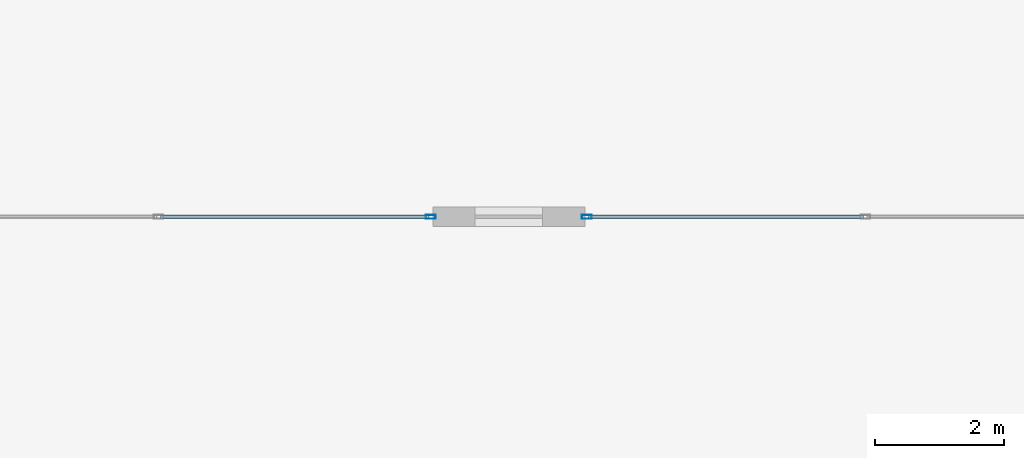
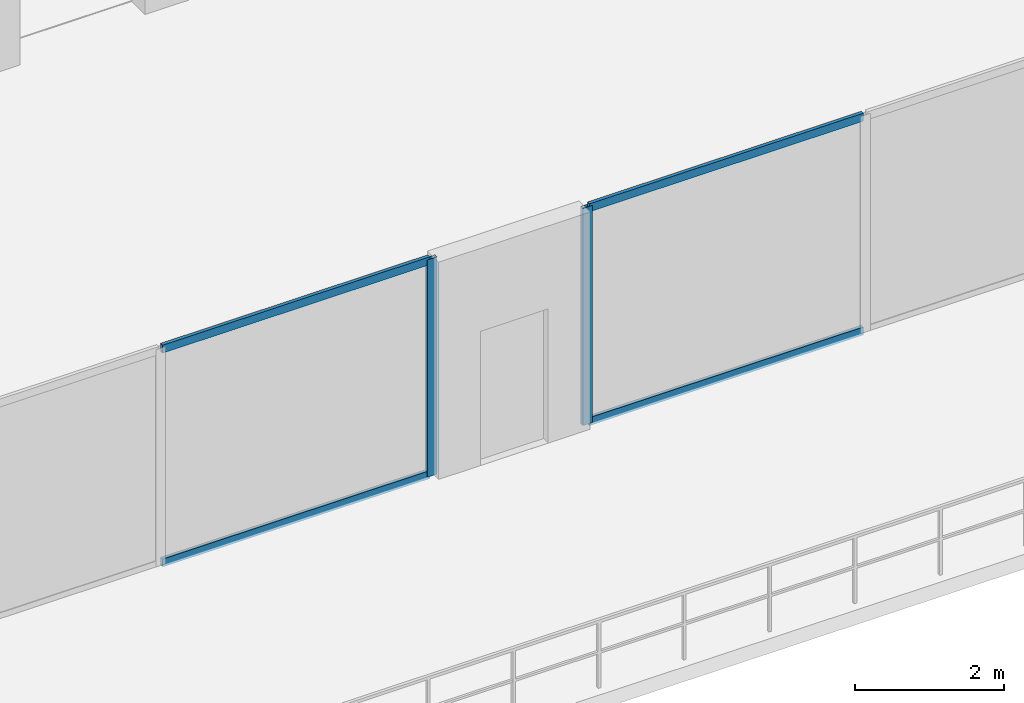
# One storey, part 3 of 16: 6 members, 2 elements without a shape of their own.
"""IFC4 building model written with IfcOpenShell, lengths in metres."""

import ifcopenshell
import ifcopenshell.guid

model = None  # the IFC model being written
_history = None  # IfcOwnerHistory: only IFC2X3 demands one
_inside = {}  # id of a spatial element -> (the spatial element, [elements in it])
_under = {}  # id of a project, library or spatial element -> (it, [spatial elements below it])
_declared = {}  # id of a project -> (the project, [libraries it declares])
_typed = {}  # id of a type object -> (the type object, [elements of that type])
_made_of = {}  # id of a material, layer set ... -> (it, [elements and type objects made of it])


def new_model(schema):
    """Start an empty IFC model of exactly this schema.

    Asked for "IFC4X3", IfcOpenShell would pick the latest addendum, in which some entities
    have other attributes; the version numbers below select the first issue.
    IFC2X3 requires an IfcOwnerHistory on every rooted entity: one is made here for all.
    """
    global model, _history
    if schema == "IFC4X3":
        model = ifcopenshell.file(schema_version=(4, 3, 0, 0))
    else:
        model = ifcopenshell.file(schema=schema)
    _inside.clear()
    _under.clear()
    _declared.clear()
    _typed.clear()
    _made_of.clear()
    _history = None
    if model.schema == "IFC2X3":
        org = make("IfcOrganization", Name="unknown")
        user = make(
            "IfcPersonAndOrganization",
            ThePerson=make("IfcPerson", FamilyName="unknown"),
            TheOrganization=org,
        )
        app = make(
            "IfcApplication",
            ApplicationDeveloper=org,
            Version="unknown",
            ApplicationFullName="unknown",
            ApplicationIdentifier="unknown",
        )
        _history = make(
            "IfcOwnerHistory",
            OwningUser=user,
            OwningApplication=app,
            ChangeAction="ADDED",
            CreationDate=0,
        )
    return model


def make(cls, **values):
    """One entity of the class cls with the attributes given. An attribute that is None is left unset."""
    return model.create_entity(
        cls, **{name: value for name, value in values.items() if value is not None}
    )


def rooted(cls, **values):
    """An entity with a GlobalId (a new one), such as an element, a storey or a relation."""
    return make(cls, GlobalId=ifcopenshell.guid.new(), OwnerHistory=_history, **values)


def si_unit(unit_type, name, prefix=None):
    """IfcSIUnit, for example si_unit("LENGTHUNIT", "METRE", prefix="MILLI")."""
    return make("IfcSIUnit", UnitType=unit_type, Prefix=prefix, Name=name)


def assignment(units):
    """IfcUnitAssignment: the units of a project."""
    return None if units is None else make("IfcUnitAssignment", Units=units)


def point(xyz):
    """IfcCartesianPoint."""
    return None if xyz is None else make("IfcCartesianPoint", Coordinates=xyz)


def direction(xyz):
    """IfcDirection."""
    return None if xyz is None else make("IfcDirection", DirectionRatios=xyz)


def frame(location, z_axis=None, x_axis=None):
    """IfcAxis2Placement3D, a coordinate frame: its origin and axes. An axis left out is left unset."""
    return make(
        "IfcAxis2Placement3D",
        Location=point(location),
        Axis=direction(z_axis),
        RefDirection=direction(x_axis),
    )


def frame_2d(location, x_axis=None):
    """IfcAxis2Placement2D, a coordinate frame in the plane: its origin and x axis."""
    return make(
        "IfcAxis2Placement2D", Location=point(location), RefDirection=direction(x_axis)
    )


def origin():
    """The frame at (0, 0, 0) with its axes left unset."""
    return frame((0.0, 0.0, 0.0))


def origin_2d():
    """The frame at (0, 0) in the plane with its x axis left unset."""
    return frame_2d((0.0, 0.0))


def place(relative_to, where):
    """IfcLocalPlacement: puts the frame where relative to a parent placement (None: the world)."""
    return make(
        "IfcLocalPlacement", PlacementRelTo=relative_to, RelativePlacement=where
    )


def context(
    kind, dimensions, precision=None, world=None, true_north=None, identifier=None
):
    """IfcGeometricRepresentationContext, for example the 3D "Model" context."""
    return make(
        "IfcGeometricRepresentationContext",
        ContextIdentifier=identifier,
        ContextType=kind,
        CoordinateSpaceDimension=dimensions,
        Precision=precision,
        WorldCoordinateSystem=world,
        TrueNorth=true_north,
    )


def subcontext(parent, identifier, kind, view, scale=None):
    """IfcGeometricRepresentationSubContext, for example "Body" below "Model"."""
    return make(
        "IfcGeometricRepresentationSubContext",
        ContextIdentifier=identifier,
        ContextType=kind,
        ParentContext=parent,
        TargetScale=scale,
        TargetView=view,
    )


def project(units=None, contexts=None):
    """IfcProject with its units and contexts."""
    return rooted(
        "IfcProject",
        Name="project",
        RepresentationContexts=contexts,
        UnitsInContext=assignment(units),
    )


def spatial(cls, under=None, at=None, **own):
    """A site, building, storey or space (cls), placed at a placement, below another one or the project."""
    s = rooted(cls, ObjectPlacement=at, **own)
    if under is not None:
        _under.setdefault(under.id(), (under, []))[1].append(s)
    return s


def profile(cls, at=None, kind="AREA", **sizes):
    """A parametric profile (cls). Its sizes go by their IFC names, for example OverallWidth=200.0."""
    return make(cls, ProfileType=kind, Position=at, **sizes)


def hollow_rectangle(**sizes):
    """IfcRectangleHollowProfileDef."""
    return profile("IfcRectangleHollowProfileDef", **sizes)


def extrude(swept, where, along, depth):
    """IfcExtrudedAreaSolid: the profile swept, set in the frame where, extruded along a direction by depth."""
    return make(
        "IfcExtrudedAreaSolid",
        SweptArea=swept,
        Position=where,
        ExtrudedDirection=direction(along),
        Depth=depth,
    )


def shape(context_of_items, identifier, shape_type, items):
    """IfcShapeRepresentation: the items that make up one representation, for example the "Body"."""
    return make(
        "IfcShapeRepresentation",
        ContextOfItems=context_of_items,
        RepresentationIdentifier=identifier,
        RepresentationType=shape_type,
        Items=items,
    )


def material(Name=None, Category=None):
    """IfcMaterial."""
    return make("IfcMaterial", Name=Name, Category=Category)


def layer(
    of_material, thickness, ventilated=None, Name=None, Category=None, Priority=None
):
    """IfcMaterialLayer: one layer of a wall or slab, of a material (None: an air gap)."""
    return make(
        "IfcMaterialLayer",
        Material=of_material,
        LayerThickness=thickness,
        IsVentilated=ventilated,
        Name=Name,
        Category=Category,
        Priority=Priority,
    )


def layer_set(layers, Name=None):
    """IfcMaterialLayerSet."""
    return make("IfcMaterialLayerSet", MaterialLayers=layers, LayerSetName=Name)


def material_profile(
    of_material, cross_section, Name=None, Category=None, Priority=None
):
    """IfcMaterialProfile: a cross section and its material."""
    return make(
        "IfcMaterialProfile",
        Name=Name,
        Material=of_material,
        Profile=cross_section,
        Priority=Priority,
        Category=Category,
    )


def profile_set(profiles, Name=None, composite=None):
    """IfcMaterialProfileSet."""
    return make(
        "IfcMaterialProfileSet",
        Name=Name,
        MaterialProfiles=profiles,
        CompositeProfile=composite,
    )


def made_of(thing, what):
    """Note that an element or type object is made of a material, layer set ...; save() writes the relation."""
    if what is not None:
        _made_of.setdefault(what.id(), (what, []))[1].append(thing)
    return thing


def type_object(cls, material=None, **own):
    """A type object (cls), such as IfcWallType, which elements share."""
    return made_of(rooted(cls, **own), material)


def element(
    cls,
    number,
    at=None,
    inside=None,
    cuts=None,
    type_object=None,
    material=None,
    context=None,
    identifier="Body",
    shape_type=None,
    held_by="IfcProductDefinitionShape",
    body=None,
    shapes=None,
    **own,
):
    """One element of the class cls, such as IfcWall. Its Tag is "e" and its number.

    at: its placement. inside: the storey or other place that contains it. cuts: it is an
    opening in that element (IfcRelVoidsElement). A single representation is given by context,
    identifier, shape_type and body (its items); several are given by shapes. held_by: the class
    of the entity that holds the representations. save() writes the other relations.
    """
    e = rooted(cls, Tag="e%d" % number, ObjectPlacement=at, **own)
    if body is not None:
        shapes = [shape(context, identifier, shape_type, body)]
    if shapes is not None:
        e.Representation = make(held_by, Representations=shapes)
    if inside is not None:
        _inside.setdefault(inside.id(), (inside, []))[1].append(e)
    if cuts is not None:
        rooted(
            "IfcRelVoidsElement", RelatingBuildingElement=cuts, RelatedOpeningElement=e
        )
    if type_object is not None:
        _typed.setdefault(type_object.id(), (type_object, []))[1].append(e)
    return made_of(e, material)


def aggregate(whole, parts):
    """IfcRelAggregates: a whole, such as a stair, and the parts it consists of."""
    return rooted("IfcRelAggregates", RelatingObject=whole, RelatedObjects=parts)


def save(model, path):
    """Write the relations noted so far, then the file.

    IfcRelAggregates (storeys below a building ...), IfcRelContainedInSpatialStructure (elements
    in a storey), IfcRelDefinesByType, IfcRelAssociatesMaterial and IfcRelDeclares: one each for
    every whole, place, type object, material and project.
    """
    for whole, parts in _under.values():
        aggregate(whole, parts)
    for where, things in _inside.values():
        rooted(
            "IfcRelContainedInSpatialStructure",
            RelatedElements=things,
            RelatingStructure=where,
        )
    for kind, things in _typed.values():
        rooted("IfcRelDefinesByType", RelatedObjects=things, RelatingType=kind)
    for what, things in _made_of.values():
        rooted("IfcRelAssociatesMaterial", RelatedObjects=things, RelatingMaterial=what)
    for by, libraries in _declared.values():
        rooted("IfcRelDeclares", RelatingContext=by, RelatedDefinitions=libraries)
    model.write(path)


model = new_model("IFC4")

# Units and contexts
model_context = context("Model", 3, precision=1e-05, world=origin(), true_north=direction((0.0, 1.0)))
body_context = subcontext(model_context, "Body", "Model", "MODEL_VIEW")
ifc_project = project(units=[si_unit("LENGTHUNIT", "METRE"), si_unit("AREAUNIT", "SQUARE_METRE"), si_unit("VOLUMEUNIT", "CUBIC_METRE"), si_unit("PLANEANGLEUNIT", "RADIAN"), si_unit("MASSUNIT", "GRAM", prefix="KILO")], contexts=[model_context])

# Site, building, storey
site_placement = place(None, origin())
site = spatial("IfcSite", under=ifc_project, at=site_placement, CompositionType="ELEMENT")
building_placement = place(site_placement, origin())
building = spatial("IfcBuilding", under=site, at=building_placement, Name="Zuhayl Quay Hotel", CompositionType="ELEMENT")
storey_placement = place(building_placement, frame((0.0, 0.0, 308.64990234375)))
storey = spatial("IfcBuildingStorey", under=building, at=storey_placement, Name="Crown 4", CompositionType="ELEMENT", Elevation=308.64990234375)

# Curtain wall, member
ifc_material_1 = material(Name="Anodised Aluminium 6063-T6", Category="aluminium")
ifc_layer = layer(ifc_material_1, 0.159912109375, Name="Anodised Aluminium 6063-T6", Category="aluminium")
ifc_layer_set = layer_set([ifc_layer], Name="Anodised Aluminium 6063-T6")
curtain_wall_type = type_object("IfcCurtainWallType", Name="CW_SYS_CRN", PredefinedType="USERDEFINED", material=ifc_layer_set)
curtain_wall_1_placement = place(storey_placement, origin())
curtain_wall_1 = element("IfcCurtainWall", 1, at=curtain_wall_1_placement, inside=storey, type_object=curtain_wall_type, Name="Crown 4 Curtain Wall ENV_CR4_E7_CW1", ObjectType="UNITISED CURTAIN WALL", PredefinedType="USERDEFINED")
ifc_material_2 = material(Name="Black-anodised aluminium 6063-T6", Category="aluminium")
ifc_material_profile_1 = material_profile(ifc_material_2, hollow_rectangle(XDim=0.06005859375, YDim=0.14990234375, WallThickness=0.00341796875, at=origin_2d()), Name="ALU150X60")
ifc_profile_set_1 = profile_set([ifc_material_profile_1], Name="Black-anodised aluminium 6063-T6")
member_type_1 = type_object("IfcMemberType", Name="MB_CW_MUL_150", PredefinedType="MULLION", material=ifc_profile_set_1)
member_1_placement = place(storey_placement, frame((-1.9951171875, 13.800048828125, 0.0), z_axis=(0.0, 0.0, 1.0), x_axis=(0.0, -1.0, 0.0)))
member_1 = element("IfcMember", 2, at=member_1_placement, type_object=member_type_1, Name="CW-CRN mullion 3", PredefinedType="MULLION", context=body_context, shape_type="SweptSolid", body=[
    extrude(hollow_rectangle(XDim=0.06005859375, YDim=0.14990234375, WallThickness=0.00341796875, at=origin_2d()), origin(), (0.0, 0.0, 1.0), 3.56005859375),
])

curtain_wall_2_placement = place(storey_placement, origin())
curtain_wall_2 = element("IfcCurtainWall", 3, at=curtain_wall_2_placement, inside=storey, type_object=curtain_wall_type, Name="Crown 4 Curtain Wall ENV_CR4_E7_CW2", ObjectType="UNITISED CURTAIN WALL", PredefinedType="USERDEFINED")
member_2_placement = place(storey_placement, frame((-4.405029296875, 13.800048828125, 0.0), z_axis=(0.0, 0.0, 1.0), x_axis=(0.0, -1.0, 0.0)))
member_2 = element("IfcMember", 4, at=member_2_placement, type_object=member_type_1, Name="CW-CRN mullion 1", PredefinedType="MULLION", context=body_context, shape_type="SweptSolid", body=[
    extrude(hollow_rectangle(XDim=0.06005859375, YDim=0.14990234375, WallThickness=0.00341796875, at=origin_2d()), origin(), (0.0, 0.0, 1.0), 3.56005859375),
])

# Member
ifc_material_profile_2 = material_profile(ifc_material_2, hollow_rectangle(XDim=0.054931640625, YDim=0.1298828125, WallThickness=0.0029296875, at=origin_2d()), Name="ALU130X55")
ifc_profile_set_2 = profile_set([ifc_material_profile_2], Name="Black-anodised aluminium 6063-T6")
member_type_2 = type_object("IfcMemberType", Name="MB_CW_TRN_130", PredefinedType="USERDEFINED", material=ifc_profile_set_2)
member_3_placement = place(storey_placement, frame((2.282470703125, 13.800048828125, 0.027587890625), z_axis=(-1.0, 0.0, 0.0), x_axis=(0.0, -1.0, 0.0)))
member_3 = element("IfcMember", 5, at=member_3_placement, type_object=member_type_2, Name="CW-CRN transom 2.1", ObjectType="TRANSOM", PredefinedType="USERDEFINED", context=body_context, shape_type="SweptSolid", body=[
    extrude(hollow_rectangle(XDim=0.054931640625, YDim=0.1298828125, WallThickness=0.0029296875, at=origin_2d()), origin(), (0.0, 0.0, 1.0), 4.24755859375),
])

member_4_placement = place(storey_placement, frame((2.282470703125, 13.800048828125, 3.53271484375), z_axis=(-1.0, 0.0, 0.0), x_axis=(0.0, -1.0, 0.0)))
member_4 = element("IfcMember", 6, at=member_4_placement, type_object=member_type_2, Name="CW-CRN transom 2.2", ObjectType="TRANSOM", PredefinedType="USERDEFINED", context=body_context, shape_type="SweptSolid", body=[
    extrude(hollow_rectangle(XDim=0.054931640625, YDim=0.1298828125, WallThickness=0.0029296875, at=origin_2d()), origin(), (0.0, 0.0, 1.0), 4.24755859375),
])

aggregate(curtain_wall_1, [member_1, member_3, member_4])

member_5_placement = place(storey_placement, frame((-4.43505859375, 13.800048828125, 0.027587890625), z_axis=(-1.0, 0.0, 0.0), x_axis=(0.0, -1.0, 0.0)))
member_5 = element("IfcMember", 7, at=member_5_placement, type_object=member_type_2, Name="CW-CRN transom 1.1", ObjectType="TRANSOM", PredefinedType="USERDEFINED", context=body_context, shape_type="SweptSolid", body=[
    extrude(hollow_rectangle(XDim=0.054931640625, YDim=0.1298828125, WallThickness=0.0029296875, at=origin_2d()), origin(), (0.0, 0.0, 1.0), 4.1474609375),
])

member_6_placement = place(storey_placement, frame((-4.43505859375, 13.800048828125, 3.53271484375), z_axis=(-1.0, 0.0, 0.0), x_axis=(0.0, -1.0, 0.0)))
member_6 = element("IfcMember", 8, at=member_6_placement, type_object=member_type_2, Name="CW-CRN transom 1.2", ObjectType="TRANSOM", PredefinedType="USERDEFINED", context=body_context, shape_type="SweptSolid", body=[
    extrude(hollow_rectangle(XDim=0.054931640625, YDim=0.1298828125, WallThickness=0.0029296875, at=origin_2d()), origin(), (0.0, 0.0, 1.0), 4.1474609375),
])

aggregate(curtain_wall_2, [member_2, member_5, member_6])

save(model, "model.ifc")
